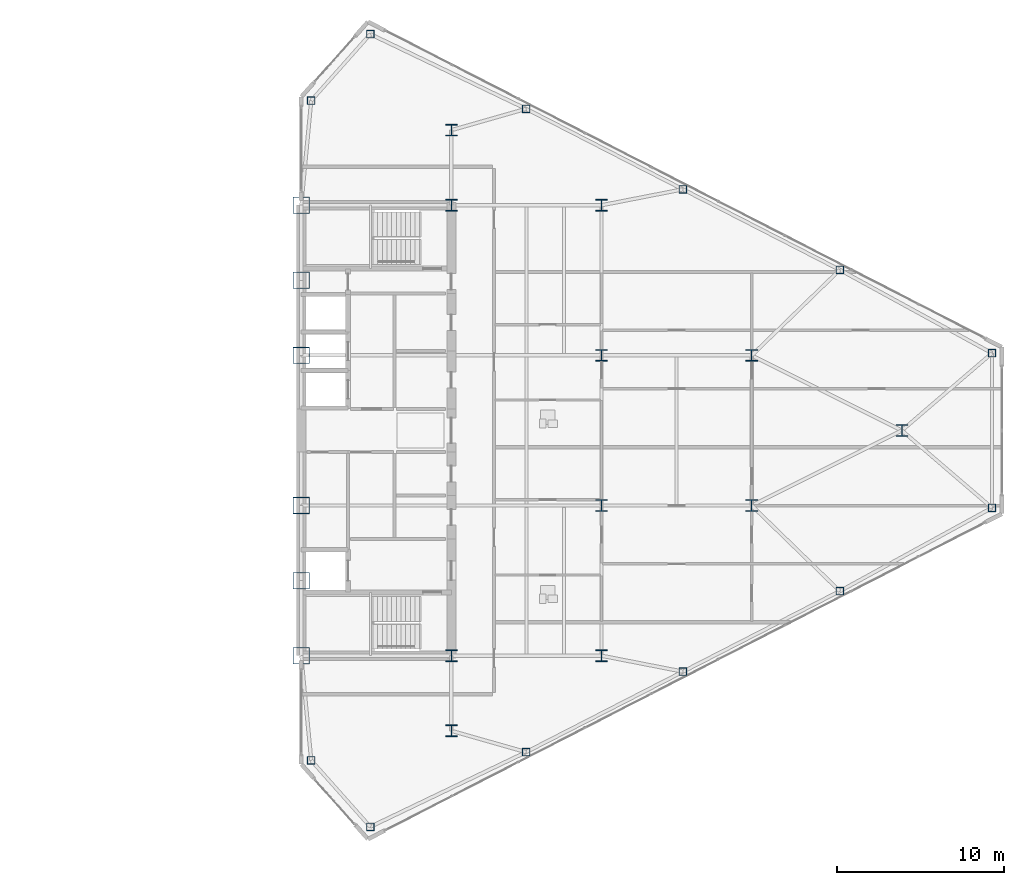
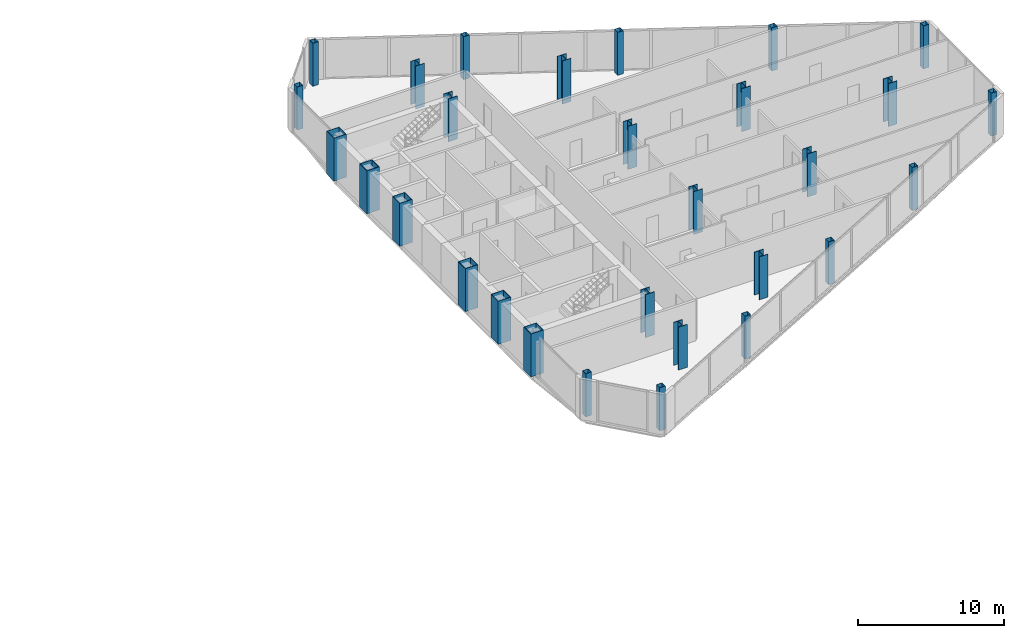
# One storey, part 2 of 23: 29 columns.
"""IFC4 building model written with IfcOpenShell, lengths in metres."""

from ifc_helpers import new_model, si_unit, direction, frame, origin, origin_2d, place, context, subcontext, project, spatial, hollow_rectangle, i_section, extrude, source, transform, mapped, material, material_profile, profile_set, type_object, type_shapes, element, save


model = new_model("IFC4")

# Units and contexts
model_context = context("Model", 3, precision=1e-05, world=origin(), true_north=direction((0.0, 1.0)))
body_context = subcontext(model_context, "Body", "Model", "MODEL_VIEW")
ifc_project = project(units=[si_unit("LENGTHUNIT", "METRE"), si_unit("AREAUNIT", "SQUARE_METRE"), si_unit("VOLUMEUNIT", "CUBIC_METRE"), si_unit("PLANEANGLEUNIT", "RADIAN"), si_unit("MASSUNIT", "GRAM", prefix="KILO")], contexts=[model_context])

# Site, building, storey
site_placement = place(None, origin())
site = spatial("IfcSite", under=ifc_project, at=site_placement, CompositionType="ELEMENT")
building_placement = place(site_placement, origin())
building = spatial("IfcBuilding", under=site, at=building_placement, Name="Seokmaru Belvedere", CompositionType="ELEMENT")
storey_placement = place(building_placement, frame((0.0, 0.0, 147.60009765625)))
storey = spatial("IfcBuildingStorey", under=building, at=storey_placement, Name="L39", CompositionType="ELEMENT", Elevation=147.60009765625)

# Columns
ifc_material_1 = material(Name="Steel HSA650 (650 MPa)", Category="steel")
ifc_material_profile_1 = material_profile(ifc_material_1, hollow_rectangle(XDim=1.0, YDim=1.0, WallThickness=0.0419921875, at=origin_2d()), Name="BOX-1000x1000x42")
ifc_profile_set_1 = profile_set([ifc_material_profile_1], Name="Steel HSA650 (650 MPa)")
column_type_1 = type_object("IfcColumnType", Name="Portal Spine Column BOX-1000", PredefinedType="COLUMN", material=ifc_profile_set_1)
shared_shape_1 = source(origin(), body_context, "Body", "SweptSolid", [
    extrude(hollow_rectangle(XDim=1.0, YDim=1.0, WallThickness=0.0419921875, at=origin_2d()), origin(), (0.0, 0.0, 1.0), 3.599853515625),
])
type_shapes(column_type_1, [shared_shape_1])
for number, where, z_axis, x_axis, name in (
    (1, (27.5, -13.5, 0.0), (0.0, 0.0, 1.0), (1.0, 0.0, 0.0), "L39 Column ES1"),
    (2, (27.5, -9.0, 0.0), (0.0, 0.0, 1.0), (1.0, 0.0, 0.0), "L39 Column ES2"),
    (3, (27.5, -4.5, 0.0), (0.0, 0.0, 1.0), (1.0, 0.0, 0.0), "L39 Column ES3"),
    (4, (27.5, 4.5, 0.0), (0.0, 0.0, 1.0), (1.0, 0.0, 0.0), "L39 Column ES4"),
    (5, (27.5, 9.0, 0.0), (0.0, 0.0, 1.0), (1.0, 0.0, 0.0), "L39 Column ES5"),
    (6, (27.5, 13.5, 0.0), (0.0, 0.0, 1.0), (1.0, 0.0, 0.0), "L39 Column ES6"),
):
    element("IfcColumn", number, at=place(storey_placement, frame(where, z_axis=z_axis, x_axis=x_axis)), inside=storey, type_object=column_type_1, Name=name, PredefinedType="COLUMN", context=body_context, shape_type="MappedRepresentation", body=[
        mapped(shared_shape_1, transform((0.0, 0.0, 0.0), scale=1.0)),
    ])
ifc_material_2 = material(Name="Steel SM355 (355 MPa)", Category="steel")
ifc_material_profile_2 = material_profile(ifc_material_2, i_section(OverallWidth=0.699951171875, OverallDepth=0.699951171875, WebThickness=0.028076171875, FlangeThickness=0.044921875, at=origin_2d()), Name="H-700x700x28x45")
ifc_profile_set_2 = profile_set([ifc_material_profile_2], Name="Steel SM355 (355 MPa)")
column_type_2 = type_object("IfcColumnType", Name="Mid Interior Column H-700", PredefinedType="COLUMN", material=ifc_profile_set_2)
shared_shape_2 = source(origin(), body_context, "Body", "SweptSolid", [
    extrude(i_section(OverallWidth=0.699951171875, OverallDepth=0.699951171875, WebThickness=0.028076171875, FlangeThickness=0.044921875, at=origin_2d()), origin(), (0.0, 0.0, 1.0), 3.599853515625),
])
type_shapes(column_type_2, [shared_shape_2])
for number, where, z_axis, x_axis, name in (
    (7, (36.5, -18.0, 0.0), (0.0, 0.0, 1.0), (1.0, 0.0, 0.0), "L39 Column EC1"),
    (8, (36.5, -13.5, 0.0), (0.0, 0.0, 1.0), (1.0, 0.0, 0.0), "L39 Column EC2"),
    (9, (36.5, 13.5, 0.0), (0.0, 0.0, 1.0), (1.0, 0.0, 0.0), "L39 Column EC3"),
    (10, (36.5, 18.0, 0.0), (0.0, 0.0, 1.0), (1.0, 0.0, 0.0), "L39 Column EC4"),
    (11, (45.5, -13.5, 0.0), (0.0, 0.0, 1.0), (1.0, 0.0, 0.0), "L39 Column EG5_1"),
    (12, (45.5, -4.5, 0.0), (0.0, 0.0, 1.0), (1.0, 0.0, 0.0), "L39 Column EG5_2"),
    (13, (45.5, 4.5, 0.0), (0.0, 0.0, 1.0), (1.0, 0.0, 0.0), "L39 Column EG5_3"),
    (14, (45.5, 13.5, 0.0), (0.0, 0.0, 1.0), (1.0, 0.0, 0.0), "L39 Column EG5_4"),
    (15, (54.5, -4.5, 0.0), (0.0, 0.0, 1.0), (1.0, 0.0, 0.0), "L39 Column EG4P_1"),
    (16, (54.5, 4.5, 0.0), (0.0, 0.0, 1.0), (1.0, 0.0, 0.0), "L39 Column EG4P_2"),
    (17, (63.5, 0.0, 0.0), (0.0, 0.0, 1.0), (1.0, 0.0, 0.0), "L39 Column EG3P_1"),
):
    element("IfcColumn", number, at=place(storey_placement, frame(where, z_axis=z_axis, x_axis=x_axis)), inside=storey, type_object=column_type_2, Name=name, PredefinedType="COLUMN", context=body_context, shape_type="MappedRepresentation", body=[
        mapped(shared_shape_2, transform((0.0, 0.0, 0.0), scale=1.0)),
    ])
ifc_material_profile_3 = material_profile(ifc_material_2, hollow_rectangle(XDim=0.449951171875, YDim=0.449951171875, WallThickness=0.01806640625, at=origin_2d()), Name="HSS-450x450x18")
ifc_profile_set_3 = profile_set([ifc_material_profile_3], Name="Steel SM355 (355 MPa)")
column_type_3 = type_object("IfcColumnType", Name="Perimeter Facet Column HSS-450", PredefinedType="COLUMN", material=ifc_profile_set_3)
shared_shape_3 = source(origin(), body_context, "Body", "SweptSolid", [
    extrude(hollow_rectangle(XDim=0.449951171875, YDim=0.449951171875, WallThickness=0.01806640625, at=origin_2d()), origin(), (0.0, 0.0, 1.0), 3.599853515625),
])
type_shapes(column_type_3, [shared_shape_3])
for number, where, z_axis, x_axis, name in (
    (18, (31.6396484375, -23.75390625, 0.0), (0.0, 0.0, 1.0), (1.0, 0.0, 0.0), "L39 Column EF1"),
    (19, (68.89990234375, -4.633544921875, 0.0), (0.0, 0.0, 1.0), (1.0, 0.0, 0.0), "L39 Column EF2"),
    (20, (68.89990234375, 4.633544921875, 0.0), (0.0, 0.0, 1.0), (1.0, 0.0, 0.0), "L39 Column EF3"),
    (21, (31.6396484375, 23.75390625, 0.0), (0.0, 0.0, 1.0), (1.0, 0.0, 0.0), "L39 Column EF4"),
    (22, (28.10009765625, 19.77197265625, 0.0), (0.0, 0.0, 1.0), (1.0, 0.0, 0.0), "L39 Column EF5"),
    (23, (28.10009765625, -19.77197265625, 0.0), (0.0, 0.0, 1.0), (1.0, 0.0, 0.0), "L39 Column EF6"),
    (24, (40.975830078125, -19.277587890625, 0.0), (0.0, 0.0, 1.0), (1.0, 0.0, 0.0), "L39 Column EFLK_S1"),
    (25, (50.377197265625, -14.453369140625, 0.0), (0.0, 0.0, 1.0), (1.0, 0.0, 0.0), "L39 Column EFLK_S2"),
    (26, (59.778564453125, -9.62890625, 0.0), (0.0, 0.0, 1.0), (1.0, 0.0, 0.0), "L39 Column EFLK_S3"),
    (27, (40.975830078125, 19.277587890625, 0.0), (0.0, 0.0, 1.0), (1.0, 0.0, 0.0), "L39 Column EFLK_N1"),
    (28, (50.377197265625, 14.453369140625, 0.0), (0.0, 0.0, 1.0), (1.0, 0.0, 0.0), "L39 Column EFLK_N2"),
    (29, (59.778564453125, 9.62890625, 0.0), (0.0, 0.0, 1.0), (1.0, 0.0, 0.0), "L39 Column EFLK_N3"),
):
    element("IfcColumn", number, at=place(storey_placement, frame(where, z_axis=z_axis, x_axis=x_axis)), inside=storey, type_object=column_type_3, Name=name, PredefinedType="COLUMN", context=body_context, shape_type="MappedRepresentation", body=[
        mapped(shared_shape_3, transform((0.0, 0.0, 0.0), scale=1.0)),
    ])

save(model, "model.ifc")
